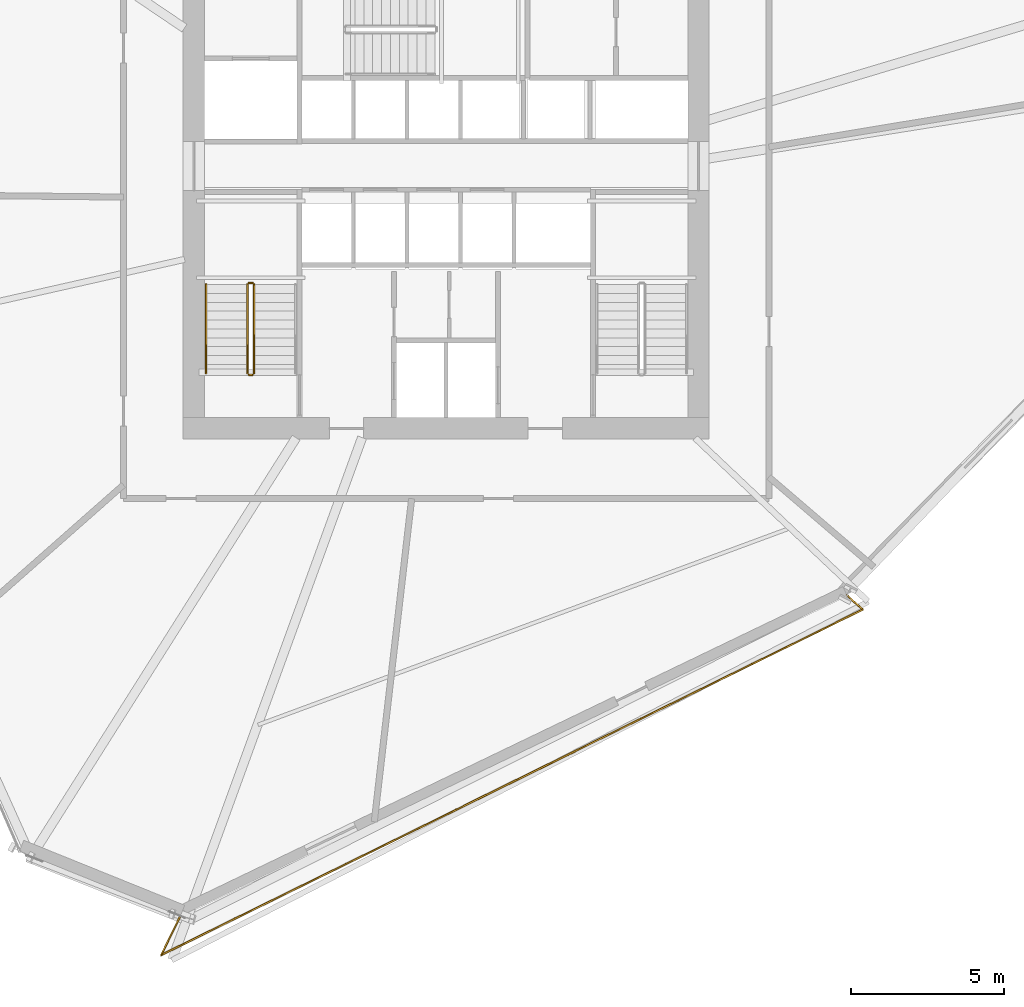
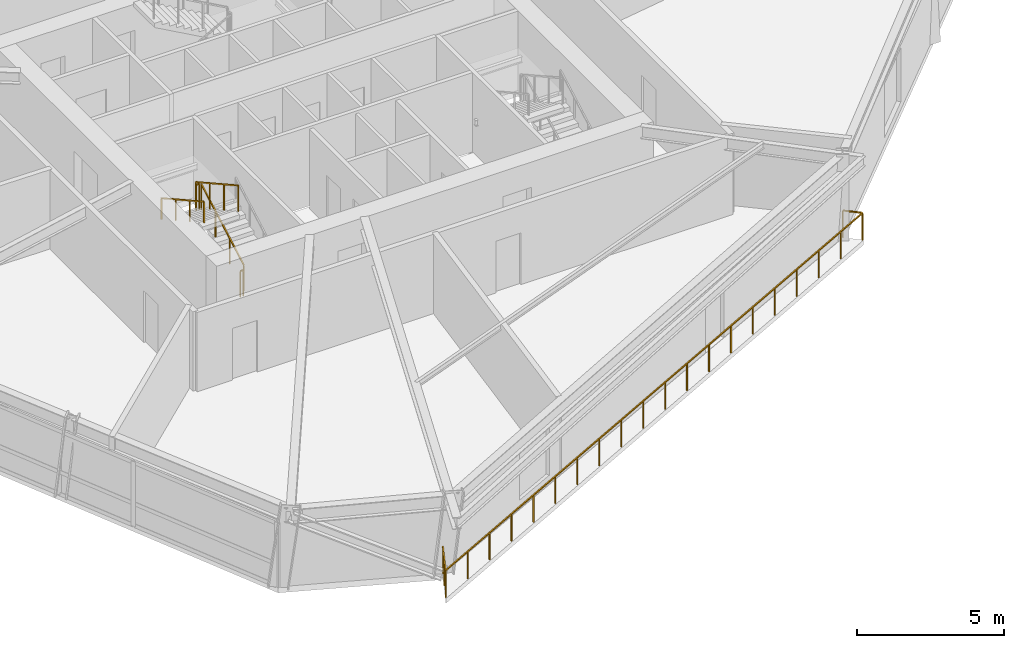
# One storey, part 16 of 19: 6 railings.
"""IFC4 building model written with IfcOpenShell, lengths in metres."""

from ifc_helpers import new_model, si_unit, direction, frame, origin, origin_2d, place, context, subcontext, project, spatial, rectangle, extrude, material, type_object, element, save


model = new_model("IFC4")

# Units and contexts
model_context = context("Model", 3, precision=1e-05, world=origin(), true_north=direction((0.0, 1.0)))
body_context = subcontext(model_context, "Body", "Model", "MODEL_VIEW")
ifc_project = project(units=[si_unit("LENGTHUNIT", "METRE"), si_unit("AREAUNIT", "SQUARE_METRE"), si_unit("VOLUMEUNIT", "CUBIC_METRE"), si_unit("PLANEANGLEUNIT", "RADIAN"), si_unit("MASSUNIT", "GRAM", prefix="KILO")], contexts=[model_context])

# Site, building, storey
site_placement = place(None, origin())
site = spatial("IfcSite", under=ifc_project, at=site_placement, CompositionType="ELEMENT")
building_placement = place(site_placement, origin())
building = spatial("IfcBuilding", under=site, at=building_placement, Name="Olszyna Solenne Hotel", CompositionType="ELEMENT")
storey_placement = place(building_placement, frame((0.0, 0.0, 84.39990234375)))
storey = spatial("IfcBuildingStorey", under=building, at=storey_placement, Name="L21", CompositionType="ELEMENT", Elevation=84.39990234375)

# Railings
ifc_material_1 = material(Name="Anodised bronze aluminium", Category="aluminium")
railing_type_1 = type_object("IfcRailingType", Name="GR-110", PredefinedType="BALUSTRADE", material=ifc_material_1)
railing_1_placement = place(storey_placement, frame((29.310546875, 3.205810546875, 0.0)))
element("IfcRailing", 1, at=railing_1_placement, inside=storey, type_object=railing_type_1, Name="Loggia balcony balustrade guard GR-L21-LG3", PredefinedType="BALUSTRADE", context=body_context, shape_type="SweptSolid", body=[
    extrude(rectangle(XDim=0.048095703125, YDim=0.048095703125, at=origin_2d()), frame((0.0, 0.0, 1.1259765625), z_axis=(-0.440592499636, -0.897707218008, 0.0), x_axis=(0.897707218008, -0.440592499636, 0.0)), (0.0, 0.0, 1.0), 1.41845703125),
    extrude(rectangle(XDim=0.048095703125, YDim=0.048095703125, at=origin_2d()), frame((-0.625, -1.2734375, 1.1259765625), z_axis=(0.897094570326, 0.441838581263, 0.0), x_axis=(-0.441838581263, 0.897094570326, 0.0)), (0.0, 0.0, 1.0), 25.565185546875),
    extrude(rectangle(XDim=0.048095703125, YDim=0.048095703125, at=origin_2d()), frame((22.309326171875, 10.022216796875, 1.1259765625), z_axis=(-0.746314446842, 0.665593529442, 0.0), x_axis=(-0.665593529442, -0.746314446842, 0.0)), (0.0, 0.0, 1.0), 0.689697265625),
    extrude(rectangle(XDim=0.0419921875, YDim=0.0419921875, at=origin_2d()), origin(), (0.0, 0.0, 1.0), 1.101806640625),
    extrude(rectangle(XDim=0.0419921875, YDim=0.0419921875, at=origin_2d()), frame((-0.3125, -0.63671875, 0.0)), (0.0, 0.0, 1.0), 1.101806640625),
    extrude(rectangle(XDim=0.0419921875, YDim=0.0419921875, at=origin_2d()), frame((-0.625, -1.2734375, 0.0)), (0.0, 0.0, 1.0), 1.101806640625),
    extrude(rectangle(XDim=0.0419921875, YDim=0.0419921875, at=origin_2d()), frame((0.58203125, -0.678955078125, 0.0)), (0.0, 0.0, 1.0), 1.101806640625),
    extrude(rectangle(XDim=0.0419921875, YDim=0.0419921875, at=origin_2d()), frame((1.7890625, -0.08447265625, 0.0)), (0.0, 0.0, 1.0), 1.101806640625),
    extrude(rectangle(XDim=0.0419921875, YDim=0.0419921875, at=origin_2d()), frame((2.99609375, 0.510009765625, 0.0)), (0.0, 0.0, 1.0), 1.101806640625),
    extrude(rectangle(XDim=0.0419921875, YDim=0.0419921875, at=origin_2d()), frame((4.203369140625, 1.1044921875, 0.0)), (0.0, 0.0, 1.0), 1.101806640625),
    extrude(rectangle(XDim=0.0419921875, YDim=0.0419921875, at=origin_2d()), frame((5.410400390625, 1.69921875, 0.0)), (0.0, 0.0, 1.0), 1.101806640625),
    extrude(rectangle(XDim=0.0419921875, YDim=0.0419921875, at=origin_2d()), frame((6.617431640625, 2.293701171875, 0.0)), (0.0, 0.0, 1.0), 1.101806640625),
    extrude(rectangle(XDim=0.0419921875, YDim=0.0419921875, at=origin_2d()), frame((7.824462890625, 2.88818359375, 0.0)), (0.0, 0.0, 1.0), 1.101806640625),
    extrude(rectangle(XDim=0.0419921875, YDim=0.0419921875, at=origin_2d()), frame((9.031494140625, 3.482666015625, 0.0)), (0.0, 0.0, 1.0), 1.101806640625),
    extrude(rectangle(XDim=0.0419921875, YDim=0.0419921875, at=origin_2d()), frame((10.238525390625, 4.0771484375, 0.0)), (0.0, 0.0, 1.0), 1.101806640625),
    extrude(rectangle(XDim=0.0419921875, YDim=0.0419921875, at=origin_2d()), frame((11.44580078125, 4.671630859375, 0.0)), (0.0, 0.0, 1.0), 1.101806640625),
    extrude(rectangle(XDim=0.0419921875, YDim=0.0419921875, at=origin_2d()), frame((12.65283203125, 5.26611328125, 0.0)), (0.0, 0.0, 1.0), 1.101806640625),
    extrude(rectangle(XDim=0.0419921875, YDim=0.0419921875, at=origin_2d()), frame((13.85986328125, 5.860595703125, 0.0)), (0.0, 0.0, 1.0), 1.101806640625),
    extrude(rectangle(XDim=0.0419921875, YDim=0.0419921875, at=origin_2d()), frame((15.06689453125, 6.455078125, 0.0)), (0.0, 0.0, 1.0), 1.101806640625),
    extrude(rectangle(XDim=0.0419921875, YDim=0.0419921875, at=origin_2d()), frame((16.27392578125, 7.049560546875, 0.0)), (0.0, 0.0, 1.0), 1.101806640625),
    extrude(rectangle(XDim=0.0419921875, YDim=0.0419921875, at=origin_2d()), frame((17.48095703125, 7.644287109375, 0.0)), (0.0, 0.0, 1.0), 1.101806640625),
    extrude(rectangle(XDim=0.0419921875, YDim=0.0419921875, at=origin_2d()), frame((18.688232421875, 8.23876953125, 0.0)), (0.0, 0.0, 1.0), 1.101806640625),
    extrude(rectangle(XDim=0.0419921875, YDim=0.0419921875, at=origin_2d()), frame((19.895263671875, 8.833251953125, 0.0)), (0.0, 0.0, 1.0), 1.101806640625),
    extrude(rectangle(XDim=0.0419921875, YDim=0.0419921875, at=origin_2d()), frame((21.102294921875, 9.427734375, 0.0)), (0.0, 0.0, 1.0), 1.101806640625),
    extrude(rectangle(XDim=0.0419921875, YDim=0.0419921875, at=origin_2d()), frame((22.309326171875, 10.022216796875, 0.0)), (0.0, 0.0, 1.0), 1.101806640625),
    extrude(rectangle(XDim=0.0419921875, YDim=0.0419921875, at=origin_2d()), frame((21.794677734375, 10.481201171875, 0.0)), (0.0, 0.0, 1.0), 1.101806640625),
])
railing_2_placement = place(storey_placement, frame((31.719970703125, 20.949951171875, 0.161376953125)))
element("IfcRailing", 2, at=railing_2_placement, inside=storey, type_object=railing_type_1, Name="L21 ST1 stair guard 1", PredefinedType="BALUSTRADE", context=body_context, shape_type="SweptSolid", body=[
    extrude(rectangle(XDim=0.048095703125, YDim=0.048095703125, at=origin_2d()), frame((0.0, 0.0, 1.076171875), z_axis=(0.0, 0.873827439584, 0.48623616261), x_axis=(-1.0, 0.0, 0.0)), (0.0, 0.0, 1.0), 3.31884765625),
    extrude(rectangle(XDim=0.0419921875, YDim=0.0419921875, at=origin_2d()), origin(), (0.0, 0.0, 1.0), 1.052001953125),
    extrude(rectangle(XDim=0.0419921875, YDim=0.0419921875, at=origin_2d()), frame((0.0, 0.966796875, 0.537841796875)), (0.0, 0.0, 1.0), 1.052001953125),
    extrude(rectangle(XDim=0.0419921875, YDim=0.0419921875, at=origin_2d()), frame((0.0, 1.933349609375, 1.075927734375)), (0.0, 0.0, 1.0), 1.052001953125),
    extrude(rectangle(XDim=0.0419921875, YDim=0.0419921875, at=origin_2d()), frame((0.0, 2.900146484375, 1.61376953125)), (0.0, 0.0, 1.0), 1.052001953125),
])
railing_3_placement = place(storey_placement, frame((31.669921875, 23.89990234375, 1.775146484375)))
element("IfcRailing", 3, at=railing_3_placement, inside=storey, type_object=railing_type_1, Name="L21 ST1 stair guard 2", PredefinedType="BALUSTRADE", context=body_context, shape_type="SweptSolid", body=[
    extrude(rectangle(XDim=0.048095703125, YDim=0.048095703125, at=origin_2d()), frame((0.0, 0.0, 1.076171875), z_axis=(-1.0, 0.0, 0.0), x_axis=(0.0, -1.0, 0.0)), (0.0, 0.0, 1.0), 0.119873046875),
    extrude(rectangle(XDim=0.0419921875, YDim=0.0419921875, at=origin_2d()), origin(), (0.0, 0.0, 1.0), 1.052001953125),
    extrude(rectangle(XDim=0.0419921875, YDim=0.0419921875, at=origin_2d()), frame((-0.119873046875, 0.0, 0.0)), (0.0, 0.0, 1.0), 1.052001953125),
])
railing_4_placement = place(storey_placement, frame((31.5, 23.85009765625, 1.9365234375)))
element("IfcRailing", 4, at=railing_4_placement, inside=storey, type_object=railing_type_1, Name="L21 ST1 stair guard 3", PredefinedType="BALUSTRADE", context=body_context, shape_type="SweptSolid", body=[
    extrude(rectangle(XDim=0.048095703125, YDim=0.048095703125, at=origin_2d()), frame((0.0, 0.0, 1.076171875), z_axis=(0.0, -0.873858693841, 0.486179990537), x_axis=(1.0, 0.0, 0.0)), (0.0, 0.0, 1.0), 3.31884765625),
    extrude(rectangle(XDim=0.0419921875, YDim=0.0419921875, at=origin_2d()), origin(), (0.0, 0.0, 1.0), 1.052001953125),
    extrude(rectangle(XDim=0.0419921875, YDim=0.0419921875, at=origin_2d()), frame((0.0, -0.966796875, 0.537841796875)), (0.0, 0.0, 1.0), 1.052001953125),
    extrude(rectangle(XDim=0.0419921875, YDim=0.0419921875, at=origin_2d()), frame((0.0, -1.933349609375, 1.07568359375)), (0.0, 0.0, 1.0), 1.052001953125),
    extrude(rectangle(XDim=0.0419921875, YDim=0.0419921875, at=origin_2d()), frame((0.0, -2.900146484375, 1.613525390625)), (0.0, 0.0, 1.0), 1.052001953125),
])
railing_5_placement = place(storey_placement, frame((31.669921875, 20.89990234375, 0.0)))
element("IfcRailing", 5, at=railing_5_placement, inside=storey, type_object=railing_type_1, Name="L21 ST1 stair guard 4", PredefinedType="BALUSTRADE", context=body_context, shape_type="SweptSolid", body=[
    extrude(rectangle(XDim=0.048095703125, YDim=0.048095703125, at=origin_2d()), frame((0.0, 0.0, 1.076171875), z_axis=(-1.0, 0.0, 0.0), x_axis=(0.0, -1.0, 0.0)), (0.0, 0.0, 1.0), 0.119873046875),
    extrude(rectangle(XDim=0.0419921875, YDim=0.0419921875, at=origin_2d()), origin(), (0.0, 0.0, 1.0), 1.052001953125),
    extrude(rectangle(XDim=0.0419921875, YDim=0.0419921875, at=origin_2d()), frame((-0.119873046875, 0.0, 0.0)), (0.0, 0.0, 1.0), 1.052001953125),
])
ifc_material_2 = material(Name="Steel S355J2", Category="steel")
railing_type_2 = type_object("IfcRailingType", Name="HR-090", PredefinedType="HANDRAIL", material=ifc_material_2)
railing_6_placement = place(storey_placement, frame((30.14990234375, 23.85009765625, 1.9365234375)))
element("IfcRailing", 6, at=railing_6_placement, inside=storey, type_object=railing_type_2, Name="L21 ST1 stair handrail 2", PredefinedType="HANDRAIL", context=body_context, shape_type="SweptSolid", body=[
    extrude(rectangle(XDim=0.048095703125, YDim=0.048095703125, at=origin_2d()), frame((0.0, 0.0, 0.8759765625), z_axis=(0.0, -0.873858693841, 0.486179990537), x_axis=(1.0, 0.0, 0.0)), (0.0, 0.0, 1.0), 3.31884765625),
    extrude(rectangle(XDim=0.0419921875, YDim=0.0419921875, at=origin_2d()), origin(), (0.0, 0.0, 1.0), 0.851806640625),
    extrude(rectangle(XDim=0.0419921875, YDim=0.0419921875, at=origin_2d()), frame((0.0, -0.966796875, 0.537841796875)), (0.0, 0.0, 1.0), 0.851806640625),
    extrude(rectangle(XDim=0.0419921875, YDim=0.0419921875, at=origin_2d()), frame((0.0, -1.933349609375, 1.07568359375)), (0.0, 0.0, 1.0), 0.851806640625),
    extrude(rectangle(XDim=0.0419921875, YDim=0.0419921875, at=origin_2d()), frame((0.0, -2.900146484375, 1.613525390625)), (0.0, 0.0, 1.0), 0.851806640625),
])

save(model, "model.ifc")
